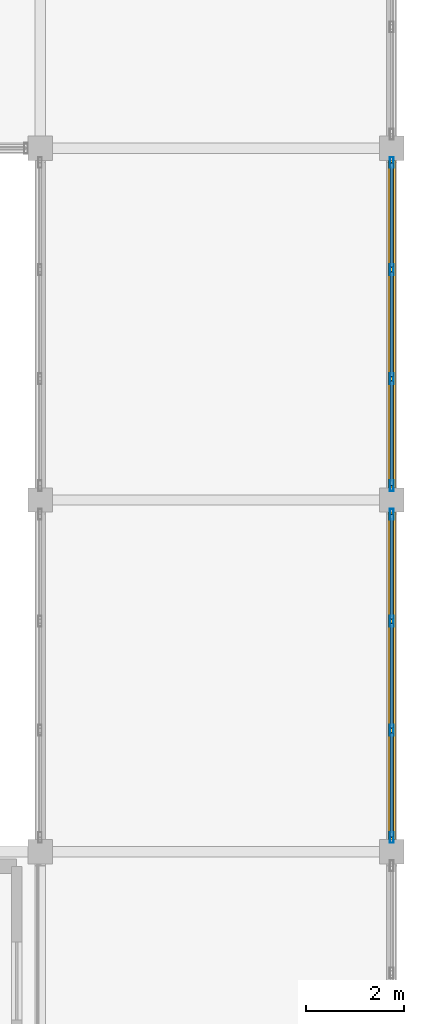
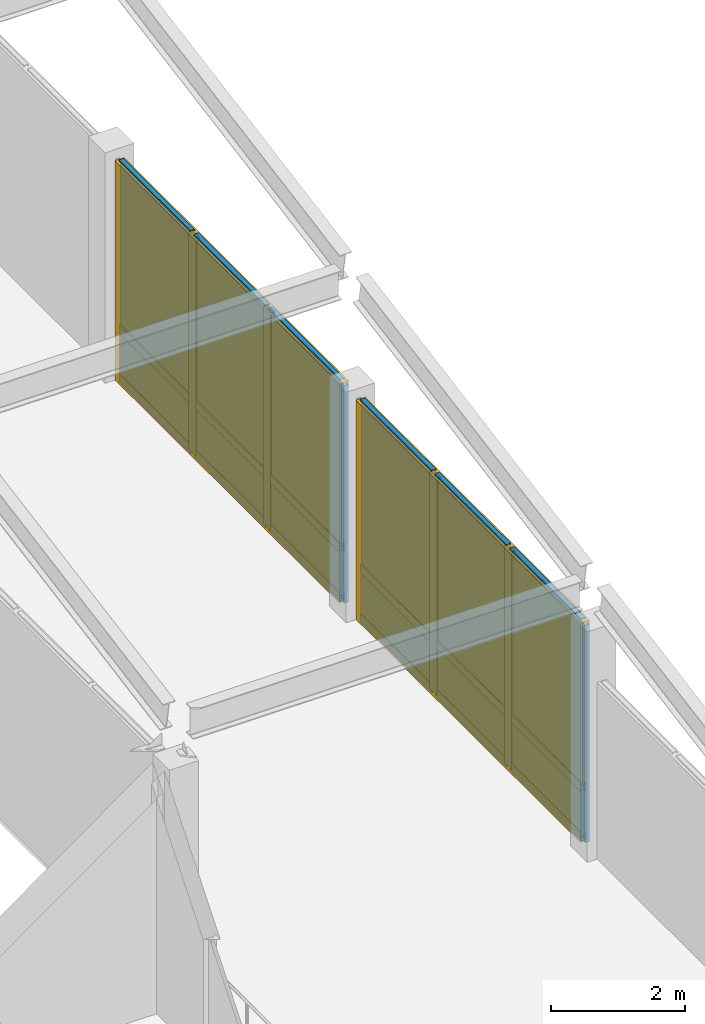
# One storey, part 12 of 16: 26 members, 12 plates, 2 curtain walls.
"""IFC4 building model written with IfcOpenShell, lengths in metres."""

from ifc_helpers import new_model, si_unit, direction, frame, origin, origin_2d, place, context, subcontext, project, spatial, rectangle, hollow_rectangle, extrude, material, layer, layer_set, material_profile, profile_set, type_object, element, aggregate, save


model = new_model("IFC4")

# Units and contexts
model_context = context("Model", 3, precision=1e-05, world=origin(), true_north=direction((0.0, 1.0)))
body_context = subcontext(model_context, "Body", "Model", "MODEL_VIEW")
ifc_project = project(units=[si_unit("LENGTHUNIT", "METRE"), si_unit("AREAUNIT", "SQUARE_METRE"), si_unit("VOLUMEUNIT", "CUBIC_METRE"), si_unit("PLANEANGLEUNIT", "RADIAN"), si_unit("MASSUNIT", "GRAM", prefix="KILO")], contexts=[model_context])

# Member
ifc_material_1 = material(Name="Anodized Aluminium 6063-T6", Category="aluminium")
ifc_material_profile_1 = material_profile(ifc_material_1, hollow_rectangle(XDim=0.074951171875, YDim=0.219970703125, WallThickness=0.0048828125, at=origin_2d()), Name="ALU 75x220x5")
ifc_profile_set_1 = profile_set([ifc_material_profile_1], Name="Anodized Aluminium 6063-T6")
member_type_1 = type_object("IfcMemberType", Name="CWM-75X180", PredefinedType="MULLION", material=ifc_profile_set_1)
site_placement = place(None, origin())
building_placement = place(site_placement, origin())
storey_placement = place(building_placement, frame((0.0, 0.0, 25.800048828125)))
member_1_placement = place(storey_placement, frame((100.800048828125, 100.510009765625, 0.02001953125), z_axis=(0.0, 0.0, 1.0), x_axis=(1.0, 0.0, 0.0)))
member_1 = element("IfcMember", 1, at=member_1_placement, type_object=member_type_1, Name="Curtain wall mullion CW-L07-13-13-E-00", PredefinedType="MULLION", context=body_context, shape_type="SweptSolid", body=[
    extrude(hollow_rectangle(XDim=0.074951171875, YDim=0.219970703125, WallThickness=0.0048828125, at=origin_2d()), origin(), (0.0, 0.0, 1.0), 3.9599609375),
])

member_2_placement = place(storey_placement, frame((100.800048828125, 98.316650390625, 0.02001953125), z_axis=(0.0, 0.0, 1.0), x_axis=(1.0, 0.0, 0.0)))
member_2 = element("IfcMember", 2, at=member_2_placement, type_object=member_type_1, Name="Curtain wall mullion CW-L07-13-13-E-01", PredefinedType="MULLION", context=body_context, shape_type="SweptSolid", body=[
    extrude(hollow_rectangle(XDim=0.074951171875, YDim=0.219970703125, WallThickness=0.0048828125, at=origin_2d()), origin(), (0.0, 0.0, 1.0), 3.9599609375),
])

member_3_placement = place(storey_placement, frame((100.800048828125, 96.083251953125, 0.02001953125), z_axis=(0.0, 0.0, 1.0), x_axis=(1.0, 0.0, 0.0)))
member_3 = element("IfcMember", 3, at=member_3_placement, type_object=member_type_1, Name="Curtain wall mullion CW-L07-13-13-E-02", PredefinedType="MULLION", context=body_context, shape_type="SweptSolid", body=[
    extrude(hollow_rectangle(XDim=0.074951171875, YDim=0.219970703125, WallThickness=0.0048828125, at=origin_2d()), origin(), (0.0, 0.0, 1.0), 3.9599609375),
])

member_4_placement = place(storey_placement, frame((100.800048828125, 93.889892578125, 0.02001953125), z_axis=(0.0, 0.0, 1.0), x_axis=(1.0, 0.0, 0.0)))
member_4 = element("IfcMember", 4, at=member_4_placement, type_object=member_type_1, Name="Curtain wall mullion CW-L07-13-13-E-03", PredefinedType="MULLION", context=body_context, shape_type="SweptSolid", body=[
    extrude(hollow_rectangle(XDim=0.074951171875, YDim=0.219970703125, WallThickness=0.0048828125, at=origin_2d()), origin(), (0.0, 0.0, 1.0), 3.9599609375),
])

member_5_placement = place(storey_placement, frame((100.800048828125, 107.7099609375, 0.02001953125), z_axis=(0.0, 0.0, 1.0), x_axis=(1.0, 0.0, 0.0)))
member_5 = element("IfcMember", 5, at=member_5_placement, type_object=member_type_1, Name="Curtain wall mullion CW-L07-13-14-E-00", PredefinedType="MULLION", context=body_context, shape_type="SweptSolid", body=[
    extrude(hollow_rectangle(XDim=0.074951171875, YDim=0.219970703125, WallThickness=0.0048828125, at=origin_2d()), origin(), (0.0, 0.0, 1.0), 3.9599609375),
])

member_6_placement = place(storey_placement, frame((100.800048828125, 105.5166015625, 0.02001953125), z_axis=(0.0, 0.0, 1.0), x_axis=(1.0, 0.0, 0.0)))
member_6 = element("IfcMember", 6, at=member_6_placement, type_object=member_type_1, Name="Curtain wall mullion CW-L07-13-14-E-01", PredefinedType="MULLION", context=body_context, shape_type="SweptSolid", body=[
    extrude(hollow_rectangle(XDim=0.074951171875, YDim=0.219970703125, WallThickness=0.0048828125, at=origin_2d()), origin(), (0.0, 0.0, 1.0), 3.9599609375),
])

member_7_placement = place(storey_placement, frame((100.800048828125, 103.283203125, 0.02001953125), z_axis=(0.0, 0.0, 1.0), x_axis=(1.0, 0.0, 0.0)))
member_7 = element("IfcMember", 7, at=member_7_placement, type_object=member_type_1, Name="Curtain wall mullion CW-L07-13-14-E-02", PredefinedType="MULLION", context=body_context, shape_type="SweptSolid", body=[
    extrude(hollow_rectangle(XDim=0.074951171875, YDim=0.219970703125, WallThickness=0.0048828125, at=origin_2d()), origin(), (0.0, 0.0, 1.0), 3.9599609375),
])

member_8_placement = place(storey_placement, frame((100.800048828125, 101.090087890625, 0.02001953125), z_axis=(0.0, 0.0, 1.0), x_axis=(1.0, 0.0, 0.0)))
member_8 = element("IfcMember", 8, at=member_8_placement, type_object=member_type_1, Name="Curtain wall mullion CW-L07-13-14-E-03", PredefinedType="MULLION", context=body_context, shape_type="SweptSolid", body=[
    extrude(hollow_rectangle(XDim=0.074951171875, YDim=0.219970703125, WallThickness=0.0048828125, at=origin_2d()), origin(), (0.0, 0.0, 1.0), 3.9599609375),
])

ifc_material_profile_2 = material_profile(ifc_material_1, hollow_rectangle(XDim=0.074951171875, YDim=0.159912109375, WallThickness=0.00390625, at=origin_2d()), Name="ALU 75x160x4")
ifc_profile_set_2 = profile_set([ifc_material_profile_2], Name="Anodized Aluminium 6063-T6")
member_type_2 = type_object("IfcMemberType", Name="CWT-75X150", PredefinedType="USERDEFINED", material=ifc_profile_set_2)
member_9_placement = place(storey_placement, frame((100.800048828125, 100.5, 0.050048828125), z_axis=(0.0, -1.0, 0.0), x_axis=(1.0, 0.0, 0.0)))
member_9 = element("IfcMember", 9, at=member_9_placement, type_object=member_type_2, Name="Curtain wall transom CW-L07-13-13-E-1.01", ObjectType="TRANSOM", PredefinedType="USERDEFINED", context=body_context, shape_type="SweptSolid", body=[
    extrude(hollow_rectangle(XDim=0.074951171875, YDim=0.159912109375, WallThickness=0.00390625, at=origin_2d()), origin(), (0.0, 0.0, 1.0), 2.13330078125),
])

member_10_placement = place(storey_placement, frame((100.800048828125, 98.2666015625, 0.050048828125), z_axis=(0.0, -1.0, 0.0), x_axis=(1.0, 0.0, 0.0)))
member_10 = element("IfcMember", 10, at=member_10_placement, type_object=member_type_2, Name="Curtain wall transom CW-L07-13-13-E-1.02", ObjectType="TRANSOM", PredefinedType="USERDEFINED", context=body_context, shape_type="SweptSolid", body=[
    extrude(hollow_rectangle(XDim=0.074951171875, YDim=0.159912109375, WallThickness=0.00390625, at=origin_2d()), origin(), (0.0, 0.0, 1.0), 2.13330078125),
])

member_11_placement = place(storey_placement, frame((100.800048828125, 96.033203125, 0.050048828125), z_axis=(0.0, -1.0, 0.0), x_axis=(1.0, 0.0, 0.0)))
member_11 = element("IfcMember", 11, at=member_11_placement, type_object=member_type_2, Name="Curtain wall transom CW-L07-13-13-E-1.03", ObjectType="TRANSOM", PredefinedType="USERDEFINED", context=body_context, shape_type="SweptSolid", body=[
    extrude(hollow_rectangle(XDim=0.074951171875, YDim=0.159912109375, WallThickness=0.00390625, at=origin_2d()), origin(), (0.0, 0.0, 1.0), 2.13330078125),
])

member_12_placement = place(storey_placement, frame((100.800048828125, 100.5, 0.949951171875), z_axis=(0.0, -1.0, 0.0), x_axis=(1.0, 0.0, 0.0)))
member_12 = element("IfcMember", 12, at=member_12_placement, type_object=member_type_2, Name="Curtain wall transom CW-L07-13-13-E-2.01", ObjectType="TRANSOM", PredefinedType="USERDEFINED", context=body_context, shape_type="SweptSolid", body=[
    extrude(hollow_rectangle(XDim=0.074951171875, YDim=0.159912109375, WallThickness=0.00390625, at=origin_2d()), origin(), (0.0, 0.0, 1.0), 2.13330078125),
])

member_13_placement = place(storey_placement, frame((100.800048828125, 98.2666015625, 0.949951171875), z_axis=(0.0, -1.0, 0.0), x_axis=(1.0, 0.0, 0.0)))
member_13 = element("IfcMember", 13, at=member_13_placement, type_object=member_type_2, Name="Curtain wall transom CW-L07-13-13-E-2.02", ObjectType="TRANSOM", PredefinedType="USERDEFINED", context=body_context, shape_type="SweptSolid", body=[
    extrude(hollow_rectangle(XDim=0.074951171875, YDim=0.159912109375, WallThickness=0.00390625, at=origin_2d()), origin(), (0.0, 0.0, 1.0), 2.13330078125),
])

member_14_placement = place(storey_placement, frame((100.800048828125, 96.033203125, 0.949951171875), z_axis=(0.0, -1.0, 0.0), x_axis=(1.0, 0.0, 0.0)))
member_14 = element("IfcMember", 14, at=member_14_placement, type_object=member_type_2, Name="Curtain wall transom CW-L07-13-13-E-2.03", ObjectType="TRANSOM", PredefinedType="USERDEFINED", context=body_context, shape_type="SweptSolid", body=[
    extrude(hollow_rectangle(XDim=0.074951171875, YDim=0.159912109375, WallThickness=0.00390625, at=origin_2d()), origin(), (0.0, 0.0, 1.0), 2.13330078125),
])

member_15_placement = place(storey_placement, frame((100.800048828125, 100.5, 3.949951171875), z_axis=(0.0, -1.0, 0.0), x_axis=(1.0, 0.0, 0.0)))
member_15 = element("IfcMember", 15, at=member_15_placement, type_object=member_type_2, Name="Curtain wall transom CW-L07-13-13-E-3.01", ObjectType="TRANSOM", PredefinedType="USERDEFINED", context=body_context, shape_type="SweptSolid", body=[
    extrude(hollow_rectangle(XDim=0.074951171875, YDim=0.159912109375, WallThickness=0.00390625, at=origin_2d()), origin(), (0.0, 0.0, 1.0), 2.13330078125),
])

member_16_placement = place(storey_placement, frame((100.800048828125, 98.2666015625, 3.949951171875), z_axis=(0.0, -1.0, 0.0), x_axis=(1.0, 0.0, 0.0)))
member_16 = element("IfcMember", 16, at=member_16_placement, type_object=member_type_2, Name="Curtain wall transom CW-L07-13-13-E-3.02", ObjectType="TRANSOM", PredefinedType="USERDEFINED", context=body_context, shape_type="SweptSolid", body=[
    extrude(hollow_rectangle(XDim=0.074951171875, YDim=0.159912109375, WallThickness=0.00390625, at=origin_2d()), origin(), (0.0, 0.0, 1.0), 2.13330078125),
])

member_17_placement = place(storey_placement, frame((100.800048828125, 96.033203125, 3.949951171875), z_axis=(0.0, -1.0, 0.0), x_axis=(1.0, 0.0, 0.0)))
member_17 = element("IfcMember", 17, at=member_17_placement, type_object=member_type_2, Name="Curtain wall transom CW-L07-13-13-E-3.03", ObjectType="TRANSOM", PredefinedType="USERDEFINED", context=body_context, shape_type="SweptSolid", body=[
    extrude(hollow_rectangle(XDim=0.074951171875, YDim=0.159912109375, WallThickness=0.00390625, at=origin_2d()), origin(), (0.0, 0.0, 1.0), 2.13330078125),
])

member_18_placement = place(storey_placement, frame((100.800048828125, 107.699951171875, 0.050048828125), z_axis=(0.0, -1.0, 0.0), x_axis=(1.0, 0.0, 0.0)))
member_18 = element("IfcMember", 18, at=member_18_placement, type_object=member_type_2, Name="Curtain wall transom CW-L07-13-14-E-1.01", ObjectType="TRANSOM", PredefinedType="USERDEFINED", context=body_context, shape_type="SweptSolid", body=[
    extrude(hollow_rectangle(XDim=0.074951171875, YDim=0.159912109375, WallThickness=0.00390625, at=origin_2d()), origin(), (0.0, 0.0, 1.0), 2.13330078125),
])

member_19_placement = place(storey_placement, frame((100.800048828125, 105.466796875, 0.050048828125), z_axis=(0.0, -1.0, 0.0), x_axis=(1.0, 0.0, 0.0)))
member_19 = element("IfcMember", 19, at=member_19_placement, type_object=member_type_2, Name="Curtain wall transom CW-L07-13-14-E-1.02", ObjectType="TRANSOM", PredefinedType="USERDEFINED", context=body_context, shape_type="SweptSolid", body=[
    extrude(hollow_rectangle(XDim=0.074951171875, YDim=0.159912109375, WallThickness=0.00390625, at=origin_2d()), origin(), (0.0, 0.0, 1.0), 2.133544921875),
])

member_20_placement = place(storey_placement, frame((100.800048828125, 103.2333984375, 0.050048828125), z_axis=(0.0, -1.0, 0.0), x_axis=(1.0, 0.0, 0.0)))
member_20 = element("IfcMember", 20, at=member_20_placement, type_object=member_type_2, Name="Curtain wall transom CW-L07-13-14-E-1.03", ObjectType="TRANSOM", PredefinedType="USERDEFINED", context=body_context, shape_type="SweptSolid", body=[
    extrude(hollow_rectangle(XDim=0.074951171875, YDim=0.159912109375, WallThickness=0.00390625, at=origin_2d()), origin(), (0.0, 0.0, 1.0), 2.13330078125),
])

member_21_placement = place(storey_placement, frame((100.800048828125, 107.699951171875, 0.949951171875), z_axis=(0.0, -1.0, 0.0), x_axis=(1.0, 0.0, 0.0)))
member_21 = element("IfcMember", 21, at=member_21_placement, type_object=member_type_2, Name="Curtain wall transom CW-L07-13-14-E-2.01", ObjectType="TRANSOM", PredefinedType="USERDEFINED", context=body_context, shape_type="SweptSolid", body=[
    extrude(hollow_rectangle(XDim=0.074951171875, YDim=0.159912109375, WallThickness=0.00390625, at=origin_2d()), origin(), (0.0, 0.0, 1.0), 2.13330078125),
])

member_22_placement = place(storey_placement, frame((100.800048828125, 105.466796875, 0.949951171875), z_axis=(0.0, -1.0, 0.0), x_axis=(1.0, 0.0, 0.0)))
member_22 = element("IfcMember", 22, at=member_22_placement, type_object=member_type_2, Name="Curtain wall transom CW-L07-13-14-E-2.02", ObjectType="TRANSOM", PredefinedType="USERDEFINED", context=body_context, shape_type="SweptSolid", body=[
    extrude(hollow_rectangle(XDim=0.074951171875, YDim=0.159912109375, WallThickness=0.00390625, at=origin_2d()), origin(), (0.0, 0.0, 1.0), 2.133544921875),
])

member_23_placement = place(storey_placement, frame((100.800048828125, 103.2333984375, 0.949951171875), z_axis=(0.0, -1.0, 0.0), x_axis=(1.0, 0.0, 0.0)))
member_23 = element("IfcMember", 23, at=member_23_placement, type_object=member_type_2, Name="Curtain wall transom CW-L07-13-14-E-2.03", ObjectType="TRANSOM", PredefinedType="USERDEFINED", context=body_context, shape_type="SweptSolid", body=[
    extrude(hollow_rectangle(XDim=0.074951171875, YDim=0.159912109375, WallThickness=0.00390625, at=origin_2d()), origin(), (0.0, 0.0, 1.0), 2.13330078125),
])

member_24_placement = place(storey_placement, frame((100.800048828125, 107.699951171875, 3.949951171875), z_axis=(0.0, -1.0, 0.0), x_axis=(1.0, 0.0, 0.0)))
member_24 = element("IfcMember", 24, at=member_24_placement, type_object=member_type_2, Name="Curtain wall transom CW-L07-13-14-E-3.01", ObjectType="TRANSOM", PredefinedType="USERDEFINED", context=body_context, shape_type="SweptSolid", body=[
    extrude(hollow_rectangle(XDim=0.074951171875, YDim=0.159912109375, WallThickness=0.00390625, at=origin_2d()), origin(), (0.0, 0.0, 1.0), 2.13330078125),
])

member_25_placement = place(storey_placement, frame((100.800048828125, 105.466796875, 3.949951171875), z_axis=(0.0, -1.0, 0.0), x_axis=(1.0, 0.0, 0.0)))
member_25 = element("IfcMember", 25, at=member_25_placement, type_object=member_type_2, Name="Curtain wall transom CW-L07-13-14-E-3.02", ObjectType="TRANSOM", PredefinedType="USERDEFINED", context=body_context, shape_type="SweptSolid", body=[
    extrude(hollow_rectangle(XDim=0.074951171875, YDim=0.159912109375, WallThickness=0.00390625, at=origin_2d()), origin(), (0.0, 0.0, 1.0), 2.133544921875),
])

member_26_placement = place(storey_placement, frame((100.800048828125, 103.2333984375, 3.949951171875), z_axis=(0.0, -1.0, 0.0), x_axis=(1.0, 0.0, 0.0)))
member_26 = element("IfcMember", 26, at=member_26_placement, type_object=member_type_2, Name="Curtain wall transom CW-L07-13-14-E-3.03", ObjectType="TRANSOM", PredefinedType="USERDEFINED", context=body_context, shape_type="SweptSolid", body=[
    extrude(hollow_rectangle(XDim=0.074951171875, YDim=0.159912109375, WallThickness=0.00390625, at=origin_2d()), origin(), (0.0, 0.0, 1.0), 2.13330078125),
])

# Plate
ifc_material_2 = material(Name="Acoustic Laminated Low-E Glazing", Category="glass")
ifc_layer_1 = layer(ifc_material_2, 0.0439453125)
ifc_layer_set_1 = layer_set([ifc_layer_1], Name="Acoustic Laminated Low-E Glazing")
plate_type_1 = type_object("IfcPlateType", Name="CWP-IGU-44", PredefinedType="CURTAIN_PANEL", material=ifc_layer_set_1)
plate_1_placement = place(storey_placement, frame((100.800048828125, 99.433349609375, 0.98974609375), z_axis=(0.0, 0.0, 1.0), x_axis=(0.0, -1.0, 0.0)))
plate_1 = element("IfcPlate", 27, at=plate_1_placement, type_object=plate_type_1, Name="Curtain wall vision glazing CW-L07-13-13-E-01", PredefinedType="CURTAIN_PANEL", context=body_context, shape_type="SweptSolid", body=[
    extrude(rectangle(XDim=2.143310546875, YDim=0.0400390625, at=origin_2d()), origin(), (0.0, 0.0, 1.0), 2.949951171875),
])

plate_2_placement = place(storey_placement, frame((100.800048828125, 97.199951171875, 0.98974609375), z_axis=(0.0, 0.0, 1.0), x_axis=(0.0, -1.0, 0.0)))
plate_2 = element("IfcPlate", 28, at=plate_2_placement, type_object=plate_type_1, Name="Curtain wall vision glazing CW-L07-13-13-E-02", PredefinedType="CURTAIN_PANEL", context=body_context, shape_type="SweptSolid", body=[
    extrude(rectangle(XDim=2.143310546875, YDim=0.0400390625, at=origin_2d()), origin(), (0.0, 0.0, 1.0), 2.949951171875),
])

plate_3_placement = place(storey_placement, frame((100.800048828125, 94.966796875, 0.98974609375), z_axis=(0.0, 0.0, 1.0), x_axis=(0.0, -1.0, 0.0)))
plate_3 = element("IfcPlate", 29, at=plate_3_placement, type_object=plate_type_1, Name="Curtain wall vision glazing CW-L07-13-13-E-03", PredefinedType="CURTAIN_PANEL", context=body_context, shape_type="SweptSolid", body=[
    extrude(rectangle(XDim=2.143310546875, YDim=0.0400390625, at=origin_2d()), origin(), (0.0, 0.0, 1.0), 2.949951171875),
])

plate_4_placement = place(storey_placement, frame((100.800048828125, 106.63330078125, 0.98974609375), z_axis=(0.0, 0.0, 1.0), x_axis=(0.0, -1.0, 0.0)))
plate_4 = element("IfcPlate", 30, at=plate_4_placement, type_object=plate_type_1, Name="Curtain wall vision glazing CW-L07-13-14-E-01", PredefinedType="CURTAIN_PANEL", context=body_context, shape_type="SweptSolid", body=[
    extrude(rectangle(XDim=2.143310546875, YDim=0.0400390625, at=origin_2d()), origin(), (0.0, 0.0, 1.0), 2.949951171875),
])

plate_5_placement = place(storey_placement, frame((100.800048828125, 104.39990234375, 0.98974609375), z_axis=(0.0, 0.0, 1.0), x_axis=(0.0, -1.0, 0.0)))
plate_5 = element("IfcPlate", 31, at=plate_5_placement, type_object=plate_type_1, Name="Curtain wall vision glazing CW-L07-13-14-E-02", PredefinedType="CURTAIN_PANEL", context=body_context, shape_type="SweptSolid", body=[
    extrude(rectangle(XDim=2.143310546875, YDim=0.0400390625, at=origin_2d()), origin(), (0.0, 0.0, 1.0), 2.949951171875),
])

plate_6_placement = place(storey_placement, frame((100.800048828125, 102.166748046875, 0.98974609375), z_axis=(0.0, 0.0, 1.0), x_axis=(0.0, -1.0, 0.0)))
plate_6 = element("IfcPlate", 32, at=plate_6_placement, type_object=plate_type_1, Name="Curtain wall vision glazing CW-L07-13-14-E-03", PredefinedType="CURTAIN_PANEL", context=body_context, shape_type="SweptSolid", body=[
    extrude(rectangle(XDim=2.143310546875, YDim=0.0400390625, at=origin_2d()), origin(), (0.0, 0.0, 1.0), 2.949951171875),
])

ifc_material_3 = material(Name="Insulated Stone-Composite Spandrel", Category="masonry")
ifc_layer_2 = layer(ifc_material_3, 0.068115234375)
ifc_layer_set_2 = layer_set([ifc_layer_2], Name="Insulated Stone-Composite Spandrel")
plate_type_2 = type_object("IfcPlateType", Name="CWP-SPN-68", PredefinedType="CURTAIN_PANEL", material=ifc_layer_set_2)
plate_7_placement = place(storey_placement, frame((100.800048828125, 99.433349609375, 0.080078125), z_axis=(0.0, 0.0, 1.0), x_axis=(0.0, -1.0, 0.0)))
plate_7 = element("IfcPlate", 33, at=plate_7_placement, type_object=plate_type_2, Name="Curtain wall spandrel panel CW-L07-13-13-E-01", PredefinedType="CURTAIN_PANEL", context=body_context, shape_type="SweptSolid", body=[
    extrude(rectangle(XDim=2.143310546875, YDim=0.06005859375, at=origin_2d()), origin(), (0.0, 0.0, 1.0), 0.840087890625),
])

plate_8_placement = place(storey_placement, frame((100.800048828125, 97.199951171875, 0.080078125), z_axis=(0.0, 0.0, 1.0), x_axis=(0.0, -1.0, 0.0)))
plate_8 = element("IfcPlate", 34, at=plate_8_placement, type_object=plate_type_2, Name="Curtain wall spandrel panel CW-L07-13-13-E-02", PredefinedType="CURTAIN_PANEL", context=body_context, shape_type="SweptSolid", body=[
    extrude(rectangle(XDim=2.143310546875, YDim=0.06005859375, at=origin_2d()), origin(), (0.0, 0.0, 1.0), 0.840087890625),
])

plate_9_placement = place(storey_placement, frame((100.800048828125, 94.966796875, 0.080078125), z_axis=(0.0, 0.0, 1.0), x_axis=(0.0, -1.0, 0.0)))
plate_9 = element("IfcPlate", 35, at=plate_9_placement, type_object=plate_type_2, Name="Curtain wall spandrel panel CW-L07-13-13-E-03", PredefinedType="CURTAIN_PANEL", context=body_context, shape_type="SweptSolid", body=[
    extrude(rectangle(XDim=2.143310546875, YDim=0.06005859375, at=origin_2d()), origin(), (0.0, 0.0, 1.0), 0.840087890625),
])

plate_10_placement = place(storey_placement, frame((100.800048828125, 106.63330078125, 0.080078125), z_axis=(0.0, 0.0, 1.0), x_axis=(0.0, -1.0, 0.0)))
plate_10 = element("IfcPlate", 36, at=plate_10_placement, type_object=plate_type_2, Name="Curtain wall spandrel panel CW-L07-13-14-E-01", PredefinedType="CURTAIN_PANEL", context=body_context, shape_type="SweptSolid", body=[
    extrude(rectangle(XDim=2.143310546875, YDim=0.06005859375, at=origin_2d()), origin(), (0.0, 0.0, 1.0), 0.840087890625),
])

plate_11_placement = place(storey_placement, frame((100.800048828125, 104.39990234375, 0.080078125), z_axis=(0.0, 0.0, 1.0), x_axis=(0.0, -1.0, 0.0)))
plate_11 = element("IfcPlate", 37, at=plate_11_placement, type_object=plate_type_2, Name="Curtain wall spandrel panel CW-L07-13-14-E-02", PredefinedType="CURTAIN_PANEL", context=body_context, shape_type="SweptSolid", body=[
    extrude(rectangle(XDim=2.143310546875, YDim=0.06005859375, at=origin_2d()), origin(), (0.0, 0.0, 1.0), 0.840087890625),
])

plate_12_placement = place(storey_placement, frame((100.800048828125, 102.166748046875, 0.080078125), z_axis=(0.0, 0.0, 1.0), x_axis=(0.0, -1.0, 0.0)))
plate_12 = element("IfcPlate", 38, at=plate_12_placement, type_object=plate_type_2, Name="Curtain wall spandrel panel CW-L07-13-14-E-03", PredefinedType="CURTAIN_PANEL", context=body_context, shape_type="SweptSolid", body=[
    extrude(rectangle(XDim=2.143310546875, YDim=0.06005859375, at=origin_2d()), origin(), (0.0, 0.0, 1.0), 0.840087890625),
])

# Site, building, storey
site = spatial("IfcSite", under=ifc_project, at=site_placement, CompositionType="ELEMENT")
building = spatial("IfcBuilding", under=site, at=building_placement, Name="Sillqori Civic Hall", CompositionType="ELEMENT")
storey = spatial("IfcBuildingStorey", under=building, at=storey_placement, Name="L07", CompositionType="ELEMENT", Elevation=25.800048828125)

# Curtain wall
ifc_material_4 = material(Name="Anodized Aluminium Curtain Wall System", Category="aluminium")
curtain_wall_type = type_object("IfcCurtainWallType", Name="CW-OB-340", PredefinedType="NOTDEFINED", material=ifc_material_4)
curtain_wall_1_placement = place(storey_placement, frame((100.800048828125, 97.199951171875, 0.0), z_axis=(0.0, 0.0, 1.0), x_axis=(0.0, -1.0, 0.0)))
curtain_wall_1 = element("IfcCurtainWall", 39, at=curtain_wall_1_placement, inside=storey, type_object=curtain_wall_type, Name="L07 unitised curtain wall CW-L07-13-13-E", PredefinedType="NOTDEFINED", context=body_context, shape_type="SweptSolid", body=[
    extrude(rectangle(XDim=6.699951171875, YDim=0.159912109375, at=origin_2d()), origin(), (0.0, 0.0, 1.0), 4.0),
])

aggregate(curtain_wall_1, [member_1, member_2, member_3, member_4, member_9, member_10, member_11, member_12, member_13, member_14, member_15, member_16, member_17, plate_7, plate_1, plate_8, plate_2, plate_9, plate_3])

curtain_wall_2_placement = place(storey_placement, frame((100.800048828125, 104.39990234375, 0.0), z_axis=(0.0, 0.0, 1.0), x_axis=(0.0, -1.0, 0.0)))
curtain_wall_2 = element("IfcCurtainWall", 40, at=curtain_wall_2_placement, inside=storey, type_object=curtain_wall_type, Name="L07 unitised curtain wall CW-L07-13-14-E", PredefinedType="NOTDEFINED", context=body_context, shape_type="SweptSolid", body=[
    extrude(rectangle(XDim=6.699951171875, YDim=0.159912109375, at=origin_2d()), origin(), (0.0, 0.0, 1.0), 4.0),
])

aggregate(curtain_wall_2, [member_5, member_6, member_7, member_8, member_18, member_19, member_20, member_21, member_22, member_23, member_24, member_25, member_26, plate_10, plate_4, plate_11, plate_5, plate_12, plate_6])

save(model, "model.ifc")
